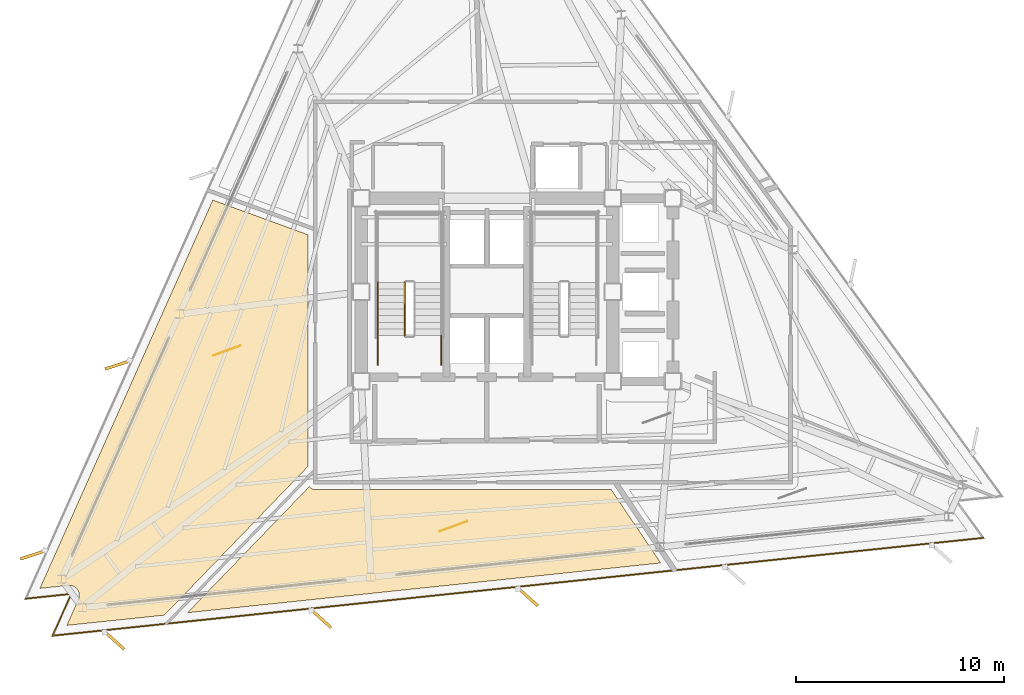
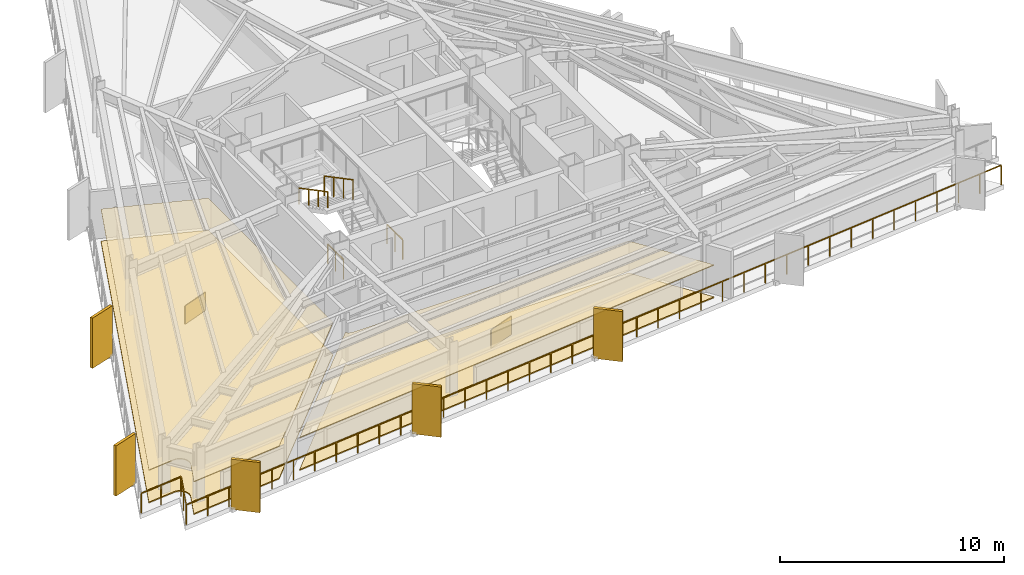
# One storey, part 10 of 13: 6 coverings, 5 railings, 5 shading devices.
"""IFC4 building model written with IfcOpenShell, lengths in metres."""

from ifc_helpers import new_model, si_unit, direction, frame, origin, origin_2d, place, context, subcontext, project, spatial, polyline, rectangle, outline, extrude, material, layer, layer_set, type_object, element, save


model = new_model("IFC4")

# Units and contexts
model_context = context("Model", 3, precision=1e-05, world=origin(), true_north=direction((0.0, 1.0)))
body_context = subcontext(model_context, "Body", "Model", "MODEL_VIEW")
ifc_project = project(units=[si_unit("LENGTHUNIT", "METRE"), si_unit("AREAUNIT", "SQUARE_METRE"), si_unit("VOLUMEUNIT", "CUBIC_METRE"), si_unit("PLANEANGLEUNIT", "RADIAN"), si_unit("MASSUNIT", "GRAM", prefix="KILO")], contexts=[model_context])

# Site, building, storey
site_placement = place(None, origin())
site = spatial("IfcSite", under=ifc_project, at=site_placement, CompositionType="ELEMENT")
building_placement = place(site_placement, origin())
building = spatial("IfcBuilding", under=site, at=building_placement, Name="Rocaltana Carrier Exchange", CompositionType="ELEMENT")
storey_placement = place(building_placement, frame((0.0, 0.0, 122.8798828125)))
storey = spatial("IfcBuildingStorey", under=building, at=storey_placement, Name="L38", CompositionType="ELEMENT", Elevation=122.8798828125)

# Coverings
ifc_material_1 = material(Name="Calcium Sulphate & Aluminium Pedestal", Category="aluminium")
ifc_layer_1 = layer(ifc_material_1, 0.06005859375)
ifc_layer_set_1 = layer_set([ifc_layer_1], Name="Calcium Sulphate & Aluminium Pedestal")
covering_type_1 = type_object("IfcCoveringType", Name="Anti-Static Raised Exchange Access Floor 60", PredefinedType="FLOORING", material=ifc_layer_set_1)
covering_1_placement = place(storey_placement, origin())
element("IfcCovering", 1, at=covering_1_placement, inside=storey, type_object=covering_type_1, Name="L38 Quiet Focus Lounge Finish Floor", PredefinedType="FLOORING", context=body_context, shape_type="SweptSolid", body=[
    extrude(outline(polyline([(-19.646240234375, -14.78759765625), (-19.640869140625, -14.774658203125), (-19.633544921875, -14.756103515625), (-19.625, -14.7294921875), (-19.61962890625, -14.71044921875), (-19.613525390625, -14.68310546875), (-19.610107421875, -14.66357421875), (-19.606689453125, -14.6357421875), (-19.60546875, -14.615966796875), (-19.60498046875, -14.587890625), (-19.60546875, -14.568115234375), (-19.607666015625, -14.540283203125), (-19.6103515625, -14.5205078125), (-19.615234375, -14.492919921875), (-19.619873046875, -14.4736328125), (-19.62744140625, -14.44677734375), (-19.6337890625, -14.427978515625), (-19.644287109375, -14.402099609375), (-19.652587890625, -14.3837890625), (-19.665283203125, -14.359130859375), (-19.675537109375, -14.341796875), (-19.690673828125, -14.318603515625), (-19.702392578125, -14.30224609375), (-19.719970703125, -14.280517578125), (-19.733154296875, -14.265625), (-19.752685546875, -14.245849609375), (-19.767578125, -14.232421875), (-19.7890625, -14.214599609375), (-19.804931640625, -14.20263671875), (-19.828125, -14.18701171875), (-19.84521484375, -14.176513671875), (-19.86962890625, -14.163330078125), (-19.8876953125, -14.15478515625), (-19.91357421875, -14.14404296875), (-19.932373046875, -14.137451171875), (-19.958984375, -14.12939453125), (-19.978271484375, -14.12451171875), (-20.005615234375, -14.119140625), (-20.025390625, -14.1162109375), (-20.05322265625, -14.113525390625), (-20.072998046875, -14.11279296875), (-20.10107421875, -14.11279296875), (-20.12109375, -14.114013671875), (-20.135009765625, -14.114990234375), (-21.49609375, -14.258056640625), (-13.182373046875, 4.414794921875), (-8.610107421875, 2.750732421875), (-8.610107421875, -8.397705078125), (-15.511962890625, -15.544921875), (-20.202880859375, -16.037841796875), (-19.646240234375, -14.78759765625)])), origin(), (0.0, 0.0, 1.0), 0.06005859375),
])
covering_2_placement = place(storey_placement, origin())
element("IfcCovering", 2, at=covering_2_placement, inside=storey, type_object=covering_type_1, Name="L38 Quiet Focus Lounge Finish Floor", PredefinedType="FLOORING", context=body_context, shape_type="SweptSolid", body=[
    extrude(outline(polyline([(-14.39794921875, -15.427734375), (-8.54052734375, -9.3623046875), (-8.53662109375, -9.367431640625), (-8.519287109375, -9.388916015625), (-8.513916015625, -9.39453125), (-8.49462890625, -9.4140625), (-8.48876953125, -9.419189453125), (-8.467529296875, -9.436767578125), (-8.461181640625, -9.44140625), (-8.4384765625, -9.456787109375), (-8.431640625, -9.460693359375), (-8.407470703125, -9.4736328125), (-8.400390625, -9.47705078125), (-8.375, -9.487548828125), (-8.36767578125, -9.490234375), (-8.34130859375, -9.498291015625), (-8.33349609375, -9.5), (-8.306640625, -9.50537109375), (-8.298828125, -9.506591796875), (-8.271484375, -9.50927734375), (-8.263671875, -9.509765625), (-8.25, -9.510009765625), (5.980224609375, -9.510009765625), (8.358642578125, -13.035888671875), (-14.39794921875, -15.427734375)])), origin(), (0.0, 0.0, 1.0), 0.06005859375),
])
ifc_material_2 = material(Name="Mineral Fibre & Powder-Coated Aluminium", Category="aluminium")
ifc_layer_2 = layer(ifc_material_2, 0.044921875)
ifc_layer_set_2 = layer_set([ifc_layer_2], Name="Mineral Fibre & Powder-Coated Aluminium")
covering_type_2 = type_object("IfcCoveringType", Name="Micro-Perforated Acoustic Ceiling 45", PredefinedType="CEILING", material=ifc_layer_set_2)
covering_3_placement = place(storey_placement, frame((0.0, 0.0, 1.76318359375)))
element("IfcCovering", 3, at=covering_3_placement, inside=storey, type_object=covering_type_2, Name="L38 Quiet Focus Lounge Acoustic Ceiling", PredefinedType="CEILING", context=body_context, shape_type="SweptSolid", body=[
    extrude(outline(polyline([(-19.646240234375, -14.78759765625), (-19.640869140625, -14.774658203125), (-19.633544921875, -14.756103515625), (-19.625, -14.7294921875), (-19.61962890625, -14.71044921875), (-19.613525390625, -14.68310546875), (-19.610107421875, -14.66357421875), (-19.606689453125, -14.6357421875), (-19.60546875, -14.615966796875), (-19.60498046875, -14.587890625), (-19.60546875, -14.568115234375), (-19.607666015625, -14.540283203125), (-19.6103515625, -14.5205078125), (-19.615234375, -14.492919921875), (-19.619873046875, -14.4736328125), (-19.62744140625, -14.44677734375), (-19.6337890625, -14.427978515625), (-19.644287109375, -14.402099609375), (-19.652587890625, -14.3837890625), (-19.665283203125, -14.359130859375), (-19.675537109375, -14.341796875), (-19.690673828125, -14.318603515625), (-19.702392578125, -14.30224609375), (-19.719970703125, -14.280517578125), (-19.733154296875, -14.265625), (-19.752685546875, -14.245849609375), (-19.767578125, -14.232421875), (-19.7890625, -14.214599609375), (-19.804931640625, -14.20263671875), (-19.828125, -14.18701171875), (-19.84521484375, -14.176513671875), (-19.86962890625, -14.163330078125), (-19.8876953125, -14.15478515625), (-19.91357421875, -14.14404296875), (-19.932373046875, -14.137451171875), (-19.958984375, -14.12939453125), (-19.978271484375, -14.12451171875), (-20.005615234375, -14.119140625), (-20.025390625, -14.1162109375), (-20.05322265625, -14.113525390625), (-20.072998046875, -14.11279296875), (-20.10107421875, -14.11279296875), (-20.12109375, -14.114013671875), (-20.135009765625, -14.114990234375), (-21.49609375, -14.258056640625), (-13.182373046875, 4.414794921875), (-8.610107421875, 2.750732421875), (-8.610107421875, -8.397705078125), (-15.511962890625, -15.544921875), (-20.202880859375, -16.037841796875), (-19.646240234375, -14.78759765625)])), origin(), (0.0, 0.0, 1.0), 0.044921875),
])
covering_4_placement = place(storey_placement, frame((0.0, 0.0, 1.76318359375)))
element("IfcCovering", 4, at=covering_4_placement, inside=storey, type_object=covering_type_2, Name="L38 Quiet Focus Lounge Acoustic Ceiling", PredefinedType="CEILING", context=body_context, shape_type="SweptSolid", body=[
    extrude(outline(polyline([(-14.39794921875, -15.427734375), (-8.54052734375, -9.3623046875), (-8.53662109375, -9.367431640625), (-8.519287109375, -9.388916015625), (-8.513916015625, -9.39453125), (-8.49462890625, -9.4140625), (-8.48876953125, -9.419189453125), (-8.467529296875, -9.436767578125), (-8.461181640625, -9.44140625), (-8.4384765625, -9.456787109375), (-8.431640625, -9.460693359375), (-8.407470703125, -9.4736328125), (-8.400390625, -9.47705078125), (-8.375, -9.487548828125), (-8.36767578125, -9.490234375), (-8.34130859375, -9.498291015625), (-8.33349609375, -9.5), (-8.306640625, -9.50537109375), (-8.298828125, -9.506591796875), (-8.271484375, -9.50927734375), (-8.263671875, -9.509765625), (-8.25, -9.510009765625), (5.980224609375, -9.510009765625), (8.358642578125, -13.035888671875), (-14.39794921875, -15.427734375)])), origin(), (0.0, 0.0, 1.0), 0.044921875),
])

# Railings
ifc_material_3 = material(Name="Brushed Architectural Stainless Tube", Category="steel")
ifc_layer_3 = layer(ifc_material_3, 0.048095703125)
ifc_layer_set_3 = layer_set([ifc_layer_3], Name="Brushed Architectural Stainless Tube")
railing_type_1 = type_object("IfcRailingType", Name="Stair Wall Handrail 920", PredefinedType="HANDRAIL", material=ifc_layer_set_3)
railing_1_placement = place(storey_placement, frame((-5.25, 0.4599609375, 1.68896484375)))
element("IfcRailing", 5, at=railing_1_placement, inside=storey, type_object=railing_type_1, Name="L38 ST-1 stair handrail 2", PredefinedType="HANDRAIL", context=body_context, shape_type="SweptSolid", body=[
    extrude(rectangle(XDim=0.048095703125, YDim=0.048095703125, at=origin_2d()), frame((0.0, 0.0, 0.8759765625), z_axis=(0.0, -0.884394423565, 0.466740295633), x_axis=(1.0, 0.0, 0.0)), (0.0, 0.0, 1.0), 2.894775390625),
    extrude(rectangle(XDim=0.0419921875, YDim=0.0419921875, at=origin_2d()), origin(), (0.0, 0.0, 1.0), 0.851806640625),
    extrude(rectangle(XDim=0.0419921875, YDim=0.0419921875, at=origin_2d()), frame((0.0, -0.853271484375, 0.450439453125)), (0.0, 0.0, 1.0), 0.851806640625),
    extrude(rectangle(XDim=0.0419921875, YDim=0.0419921875, at=origin_2d()), frame((0.0, -1.706787109375, 0.900634765625)), (0.0, 0.0, 1.0), 0.851806640625),
    extrude(rectangle(XDim=0.0419921875, YDim=0.0419921875, at=origin_2d()), frame((0.0, -2.56005859375, 1.35107421875)), (0.0, 0.0, 1.0), 0.851806640625),
])
ifc_material_4 = material(Name="Powder-Coated Aluminium 6063-T6", Category="aluminium")
ifc_layer_4 = layer(ifc_material_4, 0.048095703125)
ifc_layer_set_4 = layer_set([ifc_layer_4], Name="Powder-Coated Aluminium 6063-T6")
railing_type_2 = type_object("IfcRailingType", Name="Stair Well Guardrail 1100", PredefinedType="GUARDRAIL", material=ifc_layer_set_4)
railing_2_placement = place(storey_placement, frame((-3.949951171875, 0.4599609375, 1.68896484375)))
element("IfcRailing", 6, at=railing_2_placement, inside=storey, type_object=railing_type_2, Name="L38 ST-1 stair guard 6", PredefinedType="GUARDRAIL", context=body_context, shape_type="SweptSolid", body=[
    extrude(rectangle(XDim=0.048095703125, YDim=0.048095703125, at=origin_2d()), frame((0.0, 0.0, 1.076171875), z_axis=(0.0, -0.884394423565, 0.466740295633), x_axis=(1.0, 0.0, 0.0)), (0.0, 0.0, 1.0), 2.894775390625),
    extrude(rectangle(XDim=0.0419921875, YDim=0.0419921875, at=origin_2d()), origin(), (0.0, 0.0, 1.0), 1.052001953125),
    extrude(rectangle(XDim=0.0419921875, YDim=0.0419921875, at=origin_2d()), frame((0.0, -0.853271484375, 0.450439453125)), (0.0, 0.0, 1.0), 1.052001953125),
    extrude(rectangle(XDim=0.0419921875, YDim=0.0419921875, at=origin_2d()), frame((0.0, -1.706787109375, 0.900634765625)), (0.0, 0.0, 1.0), 1.052001953125),
    extrude(rectangle(XDim=0.0419921875, YDim=0.0419921875, at=origin_2d()), frame((0.0, -2.56005859375, 1.35107421875)), (0.0, 0.0, 1.0), 1.052001953125),
])
for number, where, name in (
    (7, (-2.18994140625, -3.5, 0.0), "L38 ST-1 stair guard 8"),
    (8, (-5.25, -3.5, 0.0), "L38 ST-1 stair guard 9"),
):
    element("IfcRailing", number, at=place(storey_placement, frame(where)), inside=storey, type_object=railing_type_2, Name=name, PredefinedType="GUARDRAIL", context=body_context, shape_type="SweptSolid", body=[
        extrude(rectangle(XDim=0.048095703125, YDim=0.048095703125, at=origin_2d()), frame((0.0, 0.0, 1.076171875), z_axis=(0.0, 1.0, 0.0), x_axis=(-1.0, 0.0, 0.0)), (0.0, 0.0, 1.0), 1.39990234375),
        extrude(rectangle(XDim=0.0419921875, YDim=0.0419921875, at=origin_2d()), origin(), (0.0, 0.0, 1.0), 1.052001953125),
        extrude(rectangle(XDim=0.0419921875, YDim=0.0419921875, at=origin_2d()), frame((0.0, 0.699951171875, 0.0)), (0.0, 0.0, 1.0), 1.052001953125),
        extrude(rectangle(XDim=0.0419921875, YDim=0.0419921875, at=origin_2d()), frame((0.0, 1.39990234375, 0.0)), (0.0, 0.0, 1.0), 1.052001953125),
    ])

# Coverings
ifc_material_5 = material(Name="Honed Piedra Muneca Sandstone", Category="masonry")
ifc_layer_5 = layer(ifc_material_5, 0.034912109375)
ifc_layer_set_5 = layer_set([ifc_layer_5], Name="Honed Piedra Muneca Sandstone")
covering_type_3 = type_object("IfcCoveringType", Name="Stone Facade Cladding 35", PredefinedType="CLADDING", material=ifc_layer_set_5)
for number, where, z_axis, x_axis, name in (
    (9, (-12.507568359375, -2.823486328125, 0.0), (0.0, 0.0, 1.0), (0.939692620786, 0.342020143326, 0.0), "L38 Stone Facade Cladding Panel 1"),
    (10, (-1.608154296875, -11.27294921875, 0.0), (0.0, 0.0, 1.0), (0.939692620786, 0.342020143326, 0.0), "L38 Stone Facade Cladding Panel 2"),
):
    element("IfcCovering", number, at=place(storey_placement, frame(where, z_axis=z_axis, x_axis=x_axis)), inside=storey, type_object=covering_type_3, Name=name, PredefinedType="CLADDING", context=body_context, shape_type="SweptSolid", body=[
        extrude(rectangle(XDim=1.39990234375, YDim=0.034912109375, at=origin_2d()), origin(), (0.0, 0.0, 1.0), 1.050048828125),
    ])

# Shading devices
ifc_material_6 = material(Name="Honed Bogota Sandstone & Concrete C45/55", Category="masonry")
ifc_layer_6 = layer(ifc_material_6, 0.139892578125)
ifc_layer_set_6 = layer_set([ifc_layer_6], Name="Honed Bogota Sandstone & Concrete C45/55")
shading_device_type = type_object("IfcShadingDeviceType", Name="Vertical Sandstone Shading Fin 1320x140", PredefinedType="USERDEFINED", material=ifc_layer_set_6)
for number, where, z_axis, x_axis, name in (
    (11, (-17.7373046875, -3.50341796875, -0.1201171875), (0.0, 0.0, 1.0), (-0.951056516295, -0.309016994375, 0.0), "L38 Sandstone Vertical Fin F2-04"),
    (12, (-21.8046875, -12.638671875, -0.1201171875), (0.0, 0.0, 1.0), (-0.951056516295, -0.309016994375, 0.0), "L38 Sandstone Vertical Fin F2-05"),
    (13, (-17.93310546875, -16.745361328125, -0.1201171875), (0.0, 0.0, 1.0), (0.743144825477, -0.669130606359, 0.0), "L38 Sandstone Vertical Fin F3-01"),
    (14, (-7.98779296875, -15.699951171875, -0.1201171875), (0.0, 0.0, 1.0), (0.743144825477, -0.669130606359, 0.0), "L38 Sandstone Vertical Fin F3-02"),
    (15, (1.95751953125, -14.65478515625, -0.1201171875), (0.0, 0.0, 1.0), (0.743144825477, -0.669130606359, 0.0), "L38 Sandstone Vertical Fin F3-03"),
):
    element("IfcShadingDevice", number, at=place(storey_placement, frame(where, z_axis=z_axis, x_axis=x_axis)), inside=storey, type_object=shading_device_type, Name=name, ObjectType="FIN", PredefinedType="USERDEFINED", context=body_context, shape_type="SweptSolid", body=[
        extrude(rectangle(XDim=1.320068359375, YDim=0.139892578125, at=origin_2d()), origin(), (0.0, 0.0, 1.0), 2.738037109375),
    ])

# Railing
ifc_material_7 = material(Name="Powder-Coated Aluminium 6063-T6", Category="aluminium")
ifc_layer_7 = layer(ifc_material_7, 0.06005859375)
ifc_layer_set_7 = layer_set([ifc_layer_7], Name="Powder-Coated Aluminium 6063-T6")
railing_type_3 = type_object("IfcRailingType", Name="Wind-Floor & Terrace Perimeter Guardrail 1100", PredefinedType="GUARDRAIL", material=ifc_layer_set_7)
railing_3_placement = place(storey_placement, frame((23.86328125, -11.82861328125, 0.0)))
element("IfcRailing", 16, at=railing_3_placement, inside=storey, type_object=railing_type_3, Name="L38 Perimeter Balcony Guardrail 1", PredefinedType="GUARDRAIL", context=body_context, shape_type="SweptSolid", body=[
    extrude(rectangle(XDim=0.048095703125, YDim=0.048095703125, at=origin_2d()), frame((0.0, 0.0, 1.076171875), z_axis=(-0.994521497127, -0.104532252211, 0.0), x_axis=(0.104532252211, -0.994521497127, 0.0)), (0.0, 0.0, 1.0), 44.9921875),
    extrude(rectangle(XDim=0.048095703125, YDim=0.048095703125, at=origin_2d()), frame((-44.74560546875, -4.703125, 1.076171875), z_axis=(0.406725294076, 0.913550510459, 0.0), x_axis=(-0.913550510459, 0.406725294076, 0.0)), (0.0, 0.0, 1.0), 2.199951171875),
    extrude(rectangle(XDim=0.048095703125, YDim=0.048095703125, at=origin_2d()), frame((-43.850830078125, -2.693359375, 1.076171875), z_axis=(-0.994521251134, -0.104534592565, 0.0), x_axis=(0.104534592565, -0.994521251134, 0.0)), (0.0, 0.0, 1.0), 2.199951171875),
    extrude(rectangle(XDim=0.0419921875, YDim=0.0419921875, at=origin_2d()), origin(), (0.0, 0.0, 1.0), 1.052001953125),
    extrude(rectangle(XDim=0.0419921875, YDim=0.0419921875, at=origin_2d()), frame((-1.177490234375, -0.123779296875, 0.0)), (0.0, 0.0, 1.0), 1.052001953125),
    extrude(rectangle(XDim=0.0419921875, YDim=0.0419921875, at=origin_2d()), frame((-2.35498046875, -0.24755859375, 0.0)), (0.0, 0.0, 1.0), 1.052001953125),
    extrude(rectangle(XDim=0.0419921875, YDim=0.0419921875, at=origin_2d()), frame((-3.532470703125, -0.371337890625, 0.0)), (0.0, 0.0, 1.0), 1.052001953125),
    extrude(rectangle(XDim=0.0419921875, YDim=0.0419921875, at=origin_2d()), frame((-4.7099609375, -0.4951171875, 0.0)), (0.0, 0.0, 1.0), 1.052001953125),
    extrude(rectangle(XDim=0.0419921875, YDim=0.0419921875, at=origin_2d()), frame((-5.8876953125, -0.618896484375, 0.0)), (0.0, 0.0, 1.0), 1.052001953125),
    extrude(rectangle(XDim=0.0419921875, YDim=0.0419921875, at=origin_2d()), frame((-7.065185546875, -0.74267578125, 0.0)), (0.0, 0.0, 1.0), 1.052001953125),
    extrude(rectangle(XDim=0.0419921875, YDim=0.0419921875, at=origin_2d()), frame((-8.24267578125, -0.866455078125, 0.0)), (0.0, 0.0, 1.0), 1.052001953125),
    extrude(rectangle(XDim=0.0419921875, YDim=0.0419921875, at=origin_2d()), frame((-9.420166015625, -0.990234375, 0.0)), (0.0, 0.0, 1.0), 1.052001953125),
    extrude(rectangle(XDim=0.0419921875, YDim=0.0419921875, at=origin_2d()), frame((-10.59765625, -1.114013671875, 0.0)), (0.0, 0.0, 1.0), 1.052001953125),
    extrude(rectangle(XDim=0.0419921875, YDim=0.0419921875, at=origin_2d()), frame((-11.775146484375, -1.237548828125, 0.0)), (0.0, 0.0, 1.0), 1.052001953125),
    extrude(rectangle(XDim=0.0419921875, YDim=0.0419921875, at=origin_2d()), frame((-12.95263671875, -1.361328125, 0.0)), (0.0, 0.0, 1.0), 1.052001953125),
    extrude(rectangle(XDim=0.0419921875, YDim=0.0419921875, at=origin_2d()), frame((-14.130126953125, -1.485107421875, 0.0)), (0.0, 0.0, 1.0), 1.052001953125),
    extrude(rectangle(XDim=0.0419921875, YDim=0.0419921875, at=origin_2d()), frame((-15.3076171875, -1.60888671875, 0.0)), (0.0, 0.0, 1.0), 1.052001953125),
    extrude(rectangle(XDim=0.0419921875, YDim=0.0419921875, at=origin_2d()), frame((-16.485107421875, -1.732666015625, 0.0)), (0.0, 0.0, 1.0), 1.052001953125),
    extrude(rectangle(XDim=0.0419921875, YDim=0.0419921875, at=origin_2d()), frame((-17.662841796875, -1.8564453125, 0.0)), (0.0, 0.0, 1.0), 1.052001953125),
    extrude(rectangle(XDim=0.0419921875, YDim=0.0419921875, at=origin_2d()), frame((-18.84033203125, -1.980224609375, 0.0)), (0.0, 0.0, 1.0), 1.052001953125),
    extrude(rectangle(XDim=0.0419921875, YDim=0.0419921875, at=origin_2d()), frame((-20.017822265625, -2.10400390625, 0.0)), (0.0, 0.0, 1.0), 1.052001953125),
    extrude(rectangle(XDim=0.0419921875, YDim=0.0419921875, at=origin_2d()), frame((-21.1953125, -2.227783203125, 0.0)), (0.0, 0.0, 1.0), 1.052001953125),
    extrude(rectangle(XDim=0.0419921875, YDim=0.0419921875, at=origin_2d()), frame((-22.372802734375, -2.3515625, 0.0)), (0.0, 0.0, 1.0), 1.052001953125),
    extrude(rectangle(XDim=0.0419921875, YDim=0.0419921875, at=origin_2d()), frame((-23.55029296875, -2.475341796875, 0.0)), (0.0, 0.0, 1.0), 1.052001953125),
    extrude(rectangle(XDim=0.0419921875, YDim=0.0419921875, at=origin_2d()), frame((-24.727783203125, -2.59912109375, 0.0)), (0.0, 0.0, 1.0), 1.052001953125),
    extrude(rectangle(XDim=0.0419921875, YDim=0.0419921875, at=origin_2d()), frame((-25.9052734375, -2.722900390625, 0.0)), (0.0, 0.0, 1.0), 1.052001953125),
    extrude(rectangle(XDim=0.0419921875, YDim=0.0419921875, at=origin_2d()), frame((-27.082763671875, -2.8466796875, 0.0)), (0.0, 0.0, 1.0), 1.052001953125),
    extrude(rectangle(XDim=0.0419921875, YDim=0.0419921875, at=origin_2d()), frame((-28.260498046875, -2.970458984375, 0.0)), (0.0, 0.0, 1.0), 1.052001953125),
    extrude(rectangle(XDim=0.0419921875, YDim=0.0419921875, at=origin_2d()), frame((-29.43798828125, -3.09423828125, 0.0)), (0.0, 0.0, 1.0), 1.052001953125),
    extrude(rectangle(XDim=0.0419921875, YDim=0.0419921875, at=origin_2d()), frame((-30.615478515625, -3.218017578125, 0.0)), (0.0, 0.0, 1.0), 1.052001953125),
    extrude(rectangle(XDim=0.0419921875, YDim=0.0419921875, at=origin_2d()), frame((-31.79296875, -3.341796875, 0.0)), (0.0, 0.0, 1.0), 1.052001953125),
    extrude(rectangle(XDim=0.0419921875, YDim=0.0419921875, at=origin_2d()), frame((-32.970458984375, -3.465576171875, 0.0)), (0.0, 0.0, 1.0), 1.052001953125),
    extrude(rectangle(XDim=0.0419921875, YDim=0.0419921875, at=origin_2d()), frame((-34.14794921875, -3.589111328125, 0.0)), (0.0, 0.0, 1.0), 1.052001953125),
    extrude(rectangle(XDim=0.0419921875, YDim=0.0419921875, at=origin_2d()), frame((-35.325439453125, -3.712890625, 0.0)), (0.0, 0.0, 1.0), 1.052001953125),
    extrude(rectangle(XDim=0.0419921875, YDim=0.0419921875, at=origin_2d()), frame((-36.5029296875, -3.836669921875, 0.0)), (0.0, 0.0, 1.0), 1.052001953125),
    extrude(rectangle(XDim=0.0419921875, YDim=0.0419921875, at=origin_2d()), frame((-37.680419921875, -3.96044921875, 0.0)), (0.0, 0.0, 1.0), 1.052001953125),
    extrude(rectangle(XDim=0.0419921875, YDim=0.0419921875, at=origin_2d()), frame((-38.85791015625, -4.084228515625, 0.0)), (0.0, 0.0, 1.0), 1.052001953125),
    extrude(rectangle(XDim=0.0419921875, YDim=0.0419921875, at=origin_2d()), frame((-40.03564453125, -4.2080078125, 0.0)), (0.0, 0.0, 1.0), 1.052001953125),
    extrude(rectangle(XDim=0.0419921875, YDim=0.0419921875, at=origin_2d()), frame((-41.213134765625, -4.331787109375, 0.0)), (0.0, 0.0, 1.0), 1.052001953125),
    extrude(rectangle(XDim=0.0419921875, YDim=0.0419921875, at=origin_2d()), frame((-42.390625, -4.45556640625, 0.0)), (0.0, 0.0, 1.0), 1.052001953125),
    extrude(rectangle(XDim=0.0419921875, YDim=0.0419921875, at=origin_2d()), frame((-43.568115234375, -4.579345703125, 0.0)), (0.0, 0.0, 1.0), 1.052001953125),
    extrude(rectangle(XDim=0.0419921875, YDim=0.0419921875, at=origin_2d()), frame((-44.74560546875, -4.703125, 0.0)), (0.0, 0.0, 1.0), 1.052001953125),
    extrude(rectangle(XDim=0.0419921875, YDim=0.0419921875, at=origin_2d()), frame((-44.29833984375, -3.6982421875, 0.0)), (0.0, 0.0, 1.0), 1.052001953125),
    extrude(rectangle(XDim=0.0419921875, YDim=0.0419921875, at=origin_2d()), frame((-43.850830078125, -2.693359375, 0.0)), (0.0, 0.0, 1.0), 1.052001953125),
    extrude(rectangle(XDim=0.0419921875, YDim=0.0419921875, at=origin_2d()), frame((-44.94482421875, -2.808349609375, 0.0)), (0.0, 0.0, 1.0), 1.052001953125),
    extrude(rectangle(XDim=0.0419921875, YDim=0.0419921875, at=origin_2d()), frame((-46.038818359375, -2.92333984375, 0.0)), (0.0, 0.0, 1.0), 1.052001953125),
])

save(model, "model.ifc")
